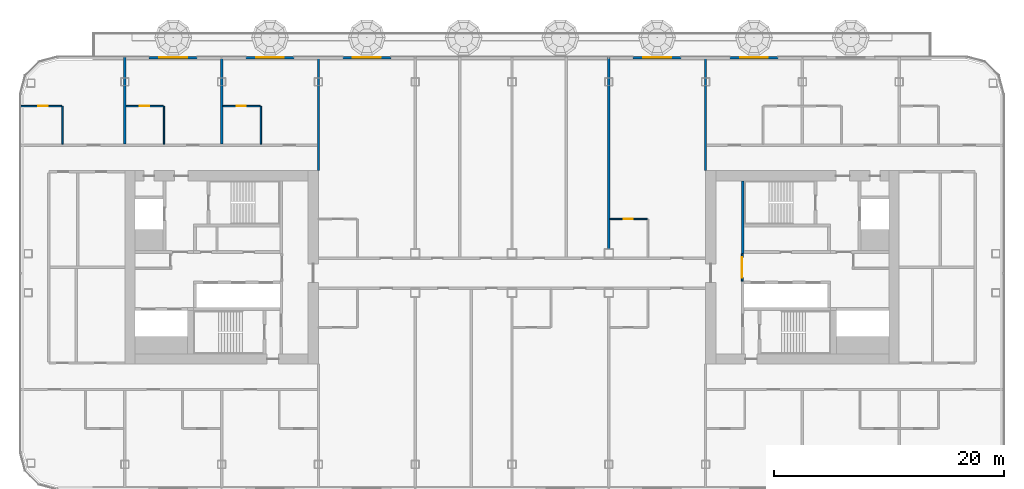
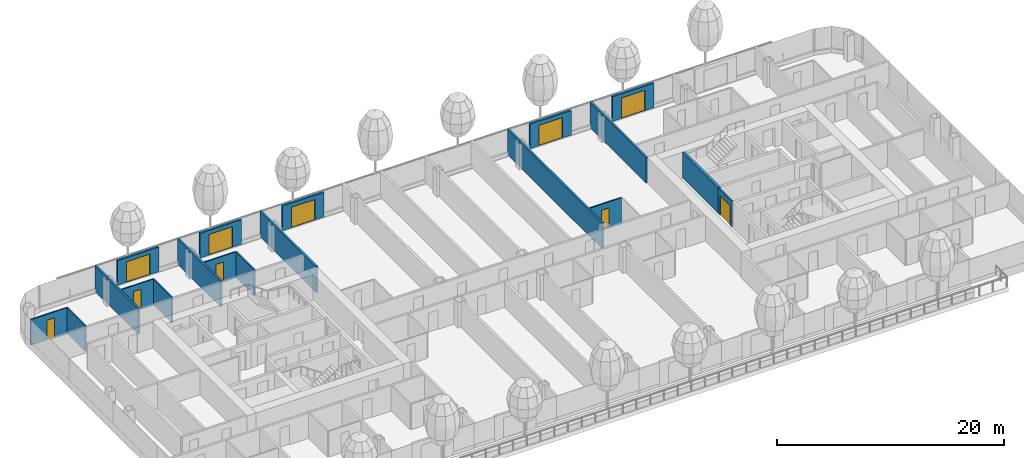
# One storey, part 13 of 29: 19 walls, 10 doors, 10 openings, 1 element without a shape of its own.
"""IFC4 building model written with IfcOpenShell, lengths in metres."""

from ifc_helpers import new_model, si_unit, direction, frame, frame_2d, origin, place, context, subcontext, project, spatial, rectangle, extrude, material, layer, layer_set, type_object, element, fill, aggregate, save


model = new_model("IFC4")

# Units and contexts
model_context = context("Model", 3, precision=1e-05, world=origin(), true_north=direction((0.0, 1.0)))
body_context = subcontext(model_context, "Body", "Model", "MODEL_VIEW")
ifc_project = project(units=[si_unit("LENGTHUNIT", "METRE"), si_unit("AREAUNIT", "SQUARE_METRE"), si_unit("VOLUMEUNIT", "CUBIC_METRE"), si_unit("PLANEANGLEUNIT", "RADIAN"), si_unit("MASSUNIT", "GRAM", prefix="KILO")], contexts=[model_context])

# Site, building, storey
site_placement = place(None, origin())
site = spatial("IfcSite", under=ifc_project, at=site_placement, CompositionType="ELEMENT")
building_placement = place(site_placement, origin())
building = spatial("IfcBuilding", under=site, at=building_placement, Name="Hakoniwa Tower and Hamabe Station Hall", CompositionType="ELEMENT")
storey_placement = place(building_placement, frame((0.0, 0.0, 163.0)))
storey = spatial("IfcBuildingStorey", under=building, at=storey_placement, Name="L46", CompositionType="ELEMENT", Elevation=163.0)

# Wall, opening, door
ifc_material_1 = material(Name="Gypsum board partition", Category="gypsum")
ifc_layer_1 = layer(ifc_material_1, 0.125)
ifc_layer_set_1 = layer_set([ifc_layer_1], Name="Bathroom Partition 125")
wall_type_1 = type_object("IfcWallType", Name="Bathroom Partition 125", PredefinedType="PARTITIONING", material=ifc_layer_set_1)
wall_1_placement = place(storey_placement, frame((8.5, 4.199951171875, 0.0), z_axis=(0.0, 0.0, 1.0), x_axis=(1.0, 0.0, 0.0)))
wall_1 = element("IfcWall", 1, at=wall_1_placement, inside=storey, type_object=wall_type_1, Name="GW-L46-018", PredefinedType="PARTITIONING", context=body_context, shape_type="SweptSolid", body=[
    extrude(rectangle(XDim=3.237548828125, YDim=0.125, at=frame_2d((1.61865234375, 0.0))), origin(), (0.0, 0.0, 1.0), 2.75),
])
opening_1_placement = place(wall_1_placement, frame((1.199951171875, 0.0, 0.0)))
opening_1 = element("IfcOpeningElement", 2, at=opening_1_placement, cuts=wall_1, Name="Opening GD-G3A2-32", PredefinedType="OPENING", context=body_context, shape_type="SweptSolid", body=[
    extrude(rectangle(XDim=0.800048828125, YDim=2.10009765625, at=frame_2d((0.39990234375, 1.050048828125))), frame((0.0, 0.072509765625, 0.0), z_axis=(0.0, -1.0, 0.0), x_axis=(1.0, 0.0, 0.0)), (0.0, 0.0, 1.0), 0.14501953125),
])
ifc_material_2 = material(Name="Timber door leaf", Category="wood")
door_type_1 = type_object("IfcDoorType", Name="Bathroom Door 800", OperationType="SINGLE_SWING_LEFT", PredefinedType="DOOR", material=ifc_material_2)
door_1_placement = place(opening_1_placement, origin())
door_1 = element("IfcDoor", 3, at=door_1_placement, inside=storey, type_object=door_type_1, Name="Door GD-G3A2-32", OperationType="SINGLE_SWING_RIGHT", OverallHeight=2.10009765625, OverallWidth=0.800048828125, PredefinedType="DOOR", context=body_context, shape_type="SweptSolid", body=[
    extrude(rectangle(XDim=0.800048828125, YDim=2.10009765625, at=frame_2d((0.39990234375, 1.050048828125))), frame((0.0, 0.02490234375, 0.0), z_axis=(0.0, -1.0, 0.0), x_axis=(1.0, 0.0, 0.0)), (0.0, 0.0, 1.0), 0.050048828125),
])
fill(opening_1, door_1)

wall_2_placement = place(storey_placement, frame((-42.699951171875, 14.0, 0.0), z_axis=(0.0, 0.0, 1.0), x_axis=(1.0, 0.0, 0.0)))
wall_2 = element("IfcWall", 4, at=wall_2_placement, inside=storey, type_object=wall_type_1, Name="GW-L46-023", PredefinedType="PARTITIONING", context=body_context, shape_type="SweptSolid", body=[
    extrude(rectangle(XDim=3.637451171875, YDim=0.125, at=frame_2d((1.81884765625, 0.0))), origin(), (0.0, 0.0, 1.0), 2.75),
])
opening_2_placement = place(wall_2_placement, frame((1.60009765625, 0.0, 0.0)))
opening_2 = element("IfcOpeningElement", 5, at=opening_2_placement, cuts=wall_2, Name="Opening GD-G3A2-43", PredefinedType="OPENING", context=body_context, shape_type="SweptSolid", body=[
    extrude(rectangle(XDim=0.800048828125, YDim=2.10009765625, at=frame_2d((0.39990234375, 1.050048828125))), frame((0.0, 0.072509765625, 0.0), z_axis=(0.0, -1.0, 0.0), x_axis=(1.0, 0.0, 0.0)), (0.0, 0.0, 1.0), 0.14501953125),
])
door_2_placement = place(opening_2_placement, origin())
door_2 = element("IfcDoor", 6, at=door_2_placement, inside=storey, type_object=door_type_1, Name="Door GD-G3A2-43", OperationType="SINGLE_SWING_RIGHT", OverallHeight=2.10009765625, OverallWidth=0.800048828125, PredefinedType="DOOR", context=body_context, shape_type="SweptSolid", body=[
    extrude(rectangle(XDim=0.800048828125, YDim=2.10009765625, at=frame_2d((0.39990234375, 1.050048828125))), frame((0.0, 0.02490234375, 0.0), z_axis=(0.0, -1.0, 0.0), x_axis=(1.0, 0.0, 0.0)), (0.0, 0.0, 1.0), 0.050048828125),
])
fill(opening_2, door_2)

wall_3_placement = place(storey_placement, frame((-33.5, 14.0, 0.0), z_axis=(0.0, 0.0, 1.0), x_axis=(1.0, 0.0, 0.0)))
wall_3 = element("IfcWall", 7, at=wall_3_placement, inside=storey, type_object=wall_type_1, Name="GW-L46-024", PredefinedType="PARTITIONING", context=body_context, shape_type="SweptSolid", body=[
    extrude(rectangle(XDim=3.237548828125, YDim=0.125, at=frame_2d((1.61865234375, 0.0))), origin(), (0.0, 0.0, 1.0), 2.75),
])
opening_3_placement = place(wall_3_placement, frame((1.199951171875, 0.0, 0.0)))
opening_3 = element("IfcOpeningElement", 8, at=opening_3_placement, cuts=wall_3, Name="Opening GD-G3A2-44", PredefinedType="OPENING", context=body_context, shape_type="SweptSolid", body=[
    extrude(rectangle(XDim=0.800048828125, YDim=2.10009765625, at=frame_2d((0.39990234375, 1.050048828125))), frame((0.0, 0.072509765625, 0.0), z_axis=(0.0, -1.0, 0.0), x_axis=(1.0, 0.0, 0.0)), (0.0, 0.0, 1.0), 0.14501953125),
])
door_3_placement = place(opening_3_placement, origin())
door_3 = element("IfcDoor", 9, at=door_3_placement, inside=storey, type_object=door_type_1, Name="Door GD-G3A2-44", OperationType="SINGLE_SWING_LEFT", OverallHeight=2.10009765625, OverallWidth=0.800048828125, PredefinedType="DOOR", context=body_context, shape_type="SweptSolid", body=[
    extrude(rectangle(XDim=0.800048828125, YDim=2.10009765625, at=frame_2d((0.39990234375, 1.050048828125))), frame((0.0, 0.02490234375, 0.0), z_axis=(0.0, -1.0, 0.0), x_axis=(1.0, 0.0, 0.0)), (0.0, 0.0, 1.0), 0.050048828125),
])
fill(opening_3, door_3)

wall_4_placement = place(storey_placement, frame((-25.10009765625, 14.0, 0.0), z_axis=(0.0, 0.0, 1.0), x_axis=(1.0, 0.0, 0.0)))
wall_4 = element("IfcWall", 10, at=wall_4_placement, inside=storey, type_object=wall_type_1, Name="GW-L46-025", PredefinedType="PARTITIONING", context=body_context, shape_type="SweptSolid", body=[
    extrude(rectangle(XDim=3.237548828125, YDim=0.125, at=frame_2d((1.61865234375, 0.0))), origin(), (0.0, 0.0, 1.0), 2.75),
])
opening_4_placement = place(wall_4_placement, frame((1.199951171875, 0.0, 0.0)))
opening_4 = element("IfcOpeningElement", 11, at=opening_4_placement, cuts=wall_4, Name="Opening GD-G3A2-45", PredefinedType="OPENING", context=body_context, shape_type="SweptSolid", body=[
    extrude(rectangle(XDim=0.800048828125, YDim=2.10009765625, at=frame_2d((0.39990234375, 1.050048828125))), frame((0.0, 0.072509765625, 0.0), z_axis=(0.0, -1.0, 0.0), x_axis=(1.0, 0.0, 0.0)), (0.0, 0.0, 1.0), 0.14501953125),
])
door_4_placement = place(opening_4_placement, origin())
door_4 = element("IfcDoor", 12, at=door_4_placement, inside=storey, type_object=door_type_1, Name="Door GD-G3A2-45", OperationType="SINGLE_SWING_RIGHT", OverallHeight=2.10009765625, OverallWidth=0.800048828125, PredefinedType="DOOR", context=body_context, shape_type="SweptSolid", body=[
    extrude(rectangle(XDim=0.800048828125, YDim=2.10009765625, at=frame_2d((0.39990234375, 1.050048828125))), frame((0.0, 0.02490234375, 0.0), z_axis=(0.0, -1.0, 0.0), x_axis=(1.0, 0.0, 0.0)), (0.0, 0.0, 1.0), 0.050048828125),
])
fill(opening_4, door_4)

# Walls
for number, where, z_axis, x_axis, name in (
    (13, (-39.0, 10.699951171875, 0.0), (0.0, 0.0, 1.0), (0.0, 1.0, 0.0), "GW-L46-029"),
    (14, (-30.199951171875, 10.699951171875, 0.0), (0.0, 0.0, 1.0), (0.0, 1.0, 0.0), "GW-L46-035"),
    (15, (-21.800048828125, 10.699951171875, 0.0), (0.0, 0.0, 1.0), (0.0, 1.0, 0.0), "GW-L46-039"),
):
    element("IfcWall", number, at=place(storey_placement, frame(where, z_axis=z_axis, x_axis=x_axis)), inside=storey, type_object=wall_type_1, Name=name, PredefinedType="PARTITIONING", context=body_context, shape_type="SweptSolid", body=[
        extrude(rectangle(XDim=3.300048828125, YDim=0.125, at=frame_2d((1.64990234375, 0.0))), origin(), (0.0, 0.0, 1.0), 2.75),
    ])

# Wall, opening, door
ifc_material_3 = material(Name="Gypsum board partition")
ifc_layer_2 = layer(ifc_material_3, 0.14990234375)
ifc_layer_set_2 = layer_set([ifc_layer_2], Name="CORE PARTITION 150 EI 60")
wall_type_2 = type_object("IfcWallType", Name="CORE PARTITION 150 EI 60", PredefinedType="PARTITIONING", material=ifc_layer_set_2)
wall_5_placement = place(storey_placement, frame((19.97509765625, -1.199951171875, 0.0), z_axis=(0.0, 0.0, 1.0), x_axis=(0.0, 1.0, 0.0)))
wall_5 = element("IfcWall", 16, at=wall_5_placement, inside=storey, type_object=wall_type_2, Name="Core partition PL0 east", PredefinedType="PARTITIONING", context=body_context, shape_type="SweptSolid", body=[
    extrude(rectangle(XDim=2.39990234375, YDim=0.14990234375, at=frame_2d((1.199951171875, 0.0))), origin(), (0.0, 0.0, 1.0), 2.75),
])
opening_5_placement = place(wall_5_placement, frame((0.300048828125, 0.0, 0.0)))
opening_5 = element("IfcOpeningElement", 17, at=opening_5_placement, cuts=wall_5, Name="Opening CD-E-LP0-18", PredefinedType="OPENING", context=body_context, shape_type="SweptSolid", body=[
    extrude(rectangle(XDim=1.800048828125, YDim=2.10009765625, at=frame_2d((0.89990234375, 1.050048828125))), frame((0.0, 0.0849609375, 0.0), z_axis=(0.0, -1.0, 0.0), x_axis=(1.0, 0.0, 0.0)), (0.0, 0.0, 1.0), 0.169921875),
])
ifc_material_4 = material(Name="Steel fire door", Category="steel")
door_type_2 = type_object("IfcDoorType", Name="CORE DOOR 1800 FD60", OperationType="DOUBLE_DOOR_SINGLE_SWING", PredefinedType="DOOR", material=ifc_material_4)
door_5_placement = place(opening_5_placement, origin())
door_5 = element("IfcDoor", 18, at=door_5_placement, inside=storey, type_object=door_type_2, Name="Lift lobby partition door", OperationType="DOUBLE_DOOR_SINGLE_SWING", OverallHeight=2.10009765625, OverallWidth=1.800048828125, PredefinedType="DOOR", context=body_context, shape_type="SweptSolid", body=[
    extrude(rectangle(XDim=1.800048828125, YDim=2.10009765625, at=frame_2d((0.89990234375, 1.050048828125))), frame((0.0, 0.02490234375, 0.0), z_axis=(0.0, -1.0, 0.0), x_axis=(1.0, 0.0, 0.0)), (0.0, 0.0, 1.0), 0.050048828125),
])
fill(opening_5, door_5)

# Wall
ifc_material_5 = material(Name="Concrete C66", Category="concrete")
ifc_layer_3 = layer(ifc_material_5, 0.25)
ifc_layer_set_3 = layer_set([ifc_layer_3], Name="CORE WEB WALL 250 C66")
wall_type_3 = type_object("IfcWallType", Name="CORE WEB WALL 250 C66", PredefinedType="SHEAR", material=ifc_layer_set_3)
wall_6_placement = place(storey_placement, frame((20.02490234375, 1.199951171875, 0.0), z_axis=(0.0, 0.0, 1.0), x_axis=(0.0, 1.0, 0.0)))
element("IfcWall", 19, at=wall_6_placement, inside=storey, type_object=wall_type_3, Name="Core wall W1N east", PredefinedType="SHEAR", context=body_context, shape_type="SweptSolid", body=[
    extrude(rectangle(XDim=6.300048828125, YDim=0.25, at=frame_2d((3.14990234375, 0.0))), origin(), (0.0, 0.0, 1.0), 2.75),
])

# Curtain wall, walls, openings, doors
ifc_material_6 = material(Name="Dark low-e laminated glass", Category="glass")
ifc_layer_4 = layer(ifc_material_6, 0.199951171875)
ifc_layer_set_4 = layer_set([ifc_layer_4], Name="CW-1 UNITISED GUEST")
curtain_wall_type = type_object("IfcCurtainWallType", Name="CW-1 UNITISED GUEST", PredefinedType="NOTDEFINED", material=ifc_layer_set_4)
curtain_wall_placement = place(storey_placement, origin())
curtain_wall = element("IfcCurtainWall", 20, at=curtain_wall_placement, inside=storey, type_object=curtain_wall_type, Name="CW-1 curtain wall", PredefinedType="NOTDEFINED")
ifc_material_7 = material(Name="Dark glass-faced aluminium panel", Category="aluminium")
ifc_layer_5 = layer(ifc_material_7, 0.199951171875)
ifc_layer_set_5 = layer_set([ifc_layer_5], Name="DOOR BAY WALL")
wall_type_4 = type_object("IfcWallType", Name="DOOR BAY WALL", PredefinedType="NOTDEFINED", material=ifc_layer_set_5)
wall_7_placement = place(storey_placement, frame((23.110107421875, 18.199951171875, 0.0), z_axis=(0.0, 0.0, 1.0), x_axis=(-1.0, 0.0, 0.0)))
wall_7 = element("IfcWall", 21, at=wall_7_placement, type_object=wall_type_4, Name="Door bay wall", PredefinedType="NOTDEFINED", context=body_context, shape_type="SweptSolid", body=[
    extrude(rectangle(XDim=4.22021484375, YDim=0.199951171875, at=frame_2d((2.110107421875, 0.0))), origin(), (0.0, 0.0, 1.0), 2.64990234375),
])
opening_6_placement = place(wall_7_placement, frame((0.909912109375, 0.0, 0.0)))
opening_6 = element("IfcOpeningElement", 22, at=opening_6_placement, cuts=wall_7, Name="Opening BD-N03-6", PredefinedType="OPENING", context=body_context, shape_type="SweptSolid", body=[
    extrude(rectangle(XDim=2.39990234375, YDim=2.199951171875, at=frame_2d((1.199951171875, 1.10009765625))), frame((0.0, 0.10986328125, 0.0), z_axis=(0.0, -1.0, 0.0), x_axis=(1.0, 0.0, 0.0)), (0.0, 0.0, 1.0), 0.219970703125),
])
ifc_material_8 = material(Name="Dark low-e laminated glass", Category="glass")
door_type_3 = type_object("IfcDoorType", Name="BALCONY SLIDING DOOR 2400X2200", OperationType="SLIDING_TO_LEFT", PredefinedType="DOOR", material=ifc_material_8)
door_6_placement = place(opening_6_placement, frame((2.39990234375, 0.0, 0.0), z_axis=(0.0, 0.0, 1.0), x_axis=(-1.0, 0.0, 0.0)))
door_6 = element("IfcDoor", 23, at=door_6_placement, inside=storey, type_object=door_type_3, Name="Balcony sliding door", OperationType="SLIDING_TO_LEFT", OverallHeight=2.199951171875, OverallWidth=2.39990234375, PredefinedType="DOOR", context=body_context, shape_type="SweptSolid", body=[
    extrude(rectangle(XDim=2.39990234375, YDim=2.199951171875, at=frame_2d((1.199951171875, 1.10009765625))), frame((0.0, 0.02490234375, 0.0), z_axis=(0.0, -1.0, 0.0), x_axis=(1.0, 0.0, 0.0)), (0.0, 0.0, 1.0), 0.050048828125),
])
fill(opening_6, door_6)
wall_8_placement = place(storey_placement, frame((14.7099609375, 18.199951171875, 0.0), z_axis=(0.0, 0.0, 1.0), x_axis=(-1.0, 0.0, 0.0)))
wall_8 = element("IfcWall", 24, at=wall_8_placement, type_object=wall_type_4, Name="Door bay wall", PredefinedType="NOTDEFINED", context=body_context, shape_type="SweptSolid", body=[
    extrude(rectangle(XDim=4.219970703125, YDim=0.199951171875, at=frame_2d((2.10986328125, 0.0))), origin(), (0.0, 0.0, 1.0), 2.64990234375),
])
opening_7_placement = place(wall_8_placement, frame((0.909912109375, 0.0, 0.0)))
opening_7 = element("IfcOpeningElement", 25, at=opening_7_placement, cuts=wall_8, Name="Opening BD-N03-2", PredefinedType="OPENING", context=body_context, shape_type="SweptSolid", body=[
    extrude(rectangle(XDim=2.39990234375, YDim=2.199951171875, at=frame_2d((1.199951171875, 1.10009765625))), frame((0.0, 0.10986328125, 0.0), z_axis=(0.0, -1.0, 0.0), x_axis=(1.0, 0.0, 0.0)), (0.0, 0.0, 1.0), 0.219970703125),
])
door_7_placement = place(opening_7_placement, frame((2.39990234375, 0.0, 0.0), z_axis=(0.0, 0.0, 1.0), x_axis=(-1.0, 0.0, 0.0)))
door_7 = element("IfcDoor", 26, at=door_7_placement, inside=storey, type_object=door_type_3, Name="Balcony sliding door", OperationType="SLIDING_TO_LEFT", OverallHeight=2.199951171875, OverallWidth=2.39990234375, PredefinedType="DOOR", context=body_context, shape_type="SweptSolid", body=[
    extrude(rectangle(XDim=2.39990234375, YDim=2.199951171875, at=frame_2d((1.199951171875, 1.10009765625))), frame((0.0, 0.02490234375, 0.0), z_axis=(0.0, -1.0, 0.0), x_axis=(1.0, 0.0, 0.0)), (0.0, 0.0, 1.0), 0.050048828125),
])
fill(opening_7, door_7)
wall_9_placement = place(storey_placement, frame((-10.489990234375, 18.199951171875, 0.0), z_axis=(0.0, 0.0, 1.0), x_axis=(-1.0, 0.0, 0.0)))
wall_9 = element("IfcWall", 27, at=wall_9_placement, type_object=wall_type_4, Name="Door bay wall", PredefinedType="NOTDEFINED", context=body_context, shape_type="SweptSolid", body=[
    extrude(rectangle(XDim=4.219970703125, YDim=0.199951171875, at=frame_2d((2.10986328125, 0.0))), origin(), (0.0, 0.0, 1.0), 2.64990234375),
])
opening_8_placement = place(wall_9_placement, frame((0.909912109375, 0.0, 0.0)))
opening_8 = element("IfcOpeningElement", 28, at=opening_8_placement, cuts=wall_9, Name="Opening BD-N03-1", PredefinedType="OPENING", context=body_context, shape_type="SweptSolid", body=[
    extrude(rectangle(XDim=2.39990234375, YDim=2.199951171875, at=frame_2d((1.199951171875, 1.10009765625))), frame((0.0, 0.10986328125, 0.0), z_axis=(0.0, -1.0, 0.0), x_axis=(1.0, 0.0, 0.0)), (0.0, 0.0, 1.0), 0.219970703125),
])
door_8_placement = place(opening_8_placement, frame((2.39990234375, 0.0, 0.0), z_axis=(0.0, 0.0, 1.0), x_axis=(-1.0, 0.0, 0.0)))
door_8 = element("IfcDoor", 29, at=door_8_placement, inside=storey, type_object=door_type_3, Name="Balcony sliding door", OperationType="SLIDING_TO_LEFT", OverallHeight=2.199951171875, OverallWidth=2.39990234375, PredefinedType="DOOR", context=body_context, shape_type="SweptSolid", body=[
    extrude(rectangle(XDim=2.39990234375, YDim=2.199951171875, at=frame_2d((1.199951171875, 1.10009765625))), frame((0.0, 0.02490234375, 0.0), z_axis=(0.0, -1.0, 0.0), x_axis=(1.0, 0.0, 0.0)), (0.0, 0.0, 1.0), 0.050048828125),
])
fill(opening_8, door_8)
wall_10_placement = place(storey_placement, frame((-18.889892578125, 18.199951171875, 0.0), z_axis=(0.0, 0.0, 1.0), x_axis=(-1.0, 0.0, 0.0)))
wall_10 = element("IfcWall", 30, at=wall_10_placement, type_object=wall_type_4, Name="Door bay wall", PredefinedType="NOTDEFINED", context=body_context, shape_type="SweptSolid", body=[
    extrude(rectangle(XDim=4.22021484375, YDim=0.199951171875, at=frame_2d((2.110107421875, 0.0))), origin(), (0.0, 0.0, 1.0), 2.64990234375),
])
opening_9_placement = place(wall_10_placement, frame((0.909912109375, 0.0, 0.0)))
opening_9 = element("IfcOpeningElement", 31, at=opening_9_placement, cuts=wall_10, Name="Opening BD-N03-11", PredefinedType="OPENING", context=body_context, shape_type="SweptSolid", body=[
    extrude(rectangle(XDim=2.39990234375, YDim=2.199951171875, at=frame_2d((1.199951171875, 1.10009765625))), frame((0.0, 0.10986328125, 0.0), z_axis=(0.0, -1.0, 0.0), x_axis=(1.0, 0.0, 0.0)), (0.0, 0.0, 1.0), 0.219970703125),
])
door_9_placement = place(opening_9_placement, frame((2.39990234375, 0.0, 0.0), z_axis=(0.0, 0.0, 1.0), x_axis=(-1.0, 0.0, 0.0)))
door_9 = element("IfcDoor", 32, at=door_9_placement, inside=storey, type_object=door_type_3, Name="Balcony sliding door", OperationType="SLIDING_TO_LEFT", OverallHeight=2.199951171875, OverallWidth=2.39990234375, PredefinedType="DOOR", context=body_context, shape_type="SweptSolid", body=[
    extrude(rectangle(XDim=2.39990234375, YDim=2.199951171875, at=frame_2d((1.199951171875, 1.10009765625))), frame((0.0, 0.02490234375, 0.0), z_axis=(0.0, -1.0, 0.0), x_axis=(1.0, 0.0, 0.0)), (0.0, 0.0, 1.0), 0.050048828125),
])
fill(opening_9, door_9)
wall_11_placement = place(storey_placement, frame((-27.2900390625, 18.199951171875, 0.0), z_axis=(0.0, 0.0, 1.0), x_axis=(-1.0, 0.0, 0.0)))
wall_11 = element("IfcWall", 33, at=wall_11_placement, type_object=wall_type_4, Name="Door bay wall", PredefinedType="NOTDEFINED", context=body_context, shape_type="SweptSolid", body=[
    extrude(rectangle(XDim=4.219970703125, YDim=0.199951171875, at=frame_2d((2.10986328125, 0.0))), origin(), (0.0, 0.0, 1.0), 2.64990234375),
])
opening_10_placement = place(wall_11_placement, frame((0.909912109375, 0.0, 0.0)))
opening_10 = element("IfcOpeningElement", 34, at=opening_10_placement, cuts=wall_11, Name="Opening BD-N03-10", PredefinedType="OPENING", context=body_context, shape_type="SweptSolid", body=[
    extrude(rectangle(XDim=2.39990234375, YDim=2.199951171875, at=frame_2d((1.199951171875, 1.10009765625))), frame((0.0, 0.10986328125, 0.0), z_axis=(0.0, -1.0, 0.0), x_axis=(1.0, 0.0, 0.0)), (0.0, 0.0, 1.0), 0.219970703125),
])
door_10_placement = place(opening_10_placement, frame((2.39990234375, 0.0, 0.0), z_axis=(0.0, 0.0, 1.0), x_axis=(-1.0, 0.0, 0.0)))
door_10 = element("IfcDoor", 35, at=door_10_placement, inside=storey, type_object=door_type_3, Name="Balcony sliding door", OperationType="SLIDING_TO_LEFT", OverallHeight=2.199951171875, OverallWidth=2.39990234375, PredefinedType="DOOR", context=body_context, shape_type="SweptSolid", body=[
    extrude(rectangle(XDim=2.39990234375, YDim=2.199951171875, at=frame_2d((1.199951171875, 1.10009765625))), frame((0.0, 0.02490234375, 0.0), z_axis=(0.0, -1.0, 0.0), x_axis=(1.0, 0.0, 0.0)), (0.0, 0.0, 1.0), 0.050048828125),
])
fill(opening_10, door_10)
aggregate(curtain_wall, [wall_7, wall_8, wall_9, wall_10, wall_11])

# Walls
ifc_material_9 = material(Name="Fire-rated gypsum board partition", Category="gypsum")
ifc_layer_6 = layer(ifc_material_9, 0.199951171875)
ifc_layer_set_6 = layer_set([ifc_layer_6], Name="Party Wall 200")
wall_type_5 = type_object("IfcWallType", Name="Party Wall 200", PredefinedType="PARTITIONING", material=ifc_layer_set_6)
for number, where, z_axis, x_axis, name in (
    (36, (-33.60009765625, 10.699951171875, 0.0), (0.0, 0.0, 1.0), (0.0, 1.0, 0.0), "GW-L46-034"),
    (37, (-25.199951171875, 10.699951171875, 0.0), (0.0, 0.0, 1.0), (0.0, 1.0, 0.0), "GW-L46-038"),
):
    element("IfcWall", number, at=place(storey_placement, frame(where, z_axis=z_axis, x_axis=x_axis)), inside=storey, type_object=wall_type_5, Name=name, PredefinedType="PARTITIONING", context=body_context, shape_type="SweptSolid", body=[
        extrude(rectangle(XDim=7.60009765625, YDim=0.199951171875, at=frame_2d((3.800048828125, 0.0))), origin(), (0.0, 0.0, 1.0), 2.75),
    ])
wall_12_placement = place(storey_placement, frame((-16.800048828125, 8.389892578125, 0.0), z_axis=(0.0, 0.0, 1.0), x_axis=(0.0, 1.0, 0.0)))
element("IfcWall", 38, at=wall_12_placement, inside=storey, type_object=wall_type_5, Name="GW-L46-042", PredefinedType="PARTITIONING", context=body_context, shape_type="SweptSolid", body=[
    extrude(rectangle(XDim=9.91015625, YDim=0.199951171875, at=frame_2d((4.955078125, 0.0))), origin(), (0.0, 0.0, 1.0), 2.75),
])
wall_13_placement = place(storey_placement, frame((8.39990234375, 1.590087890625, 0.0), z_axis=(0.0, 0.0, 1.0), x_axis=(0.0, 1.0, 0.0)))
element("IfcWall", 39, at=wall_13_placement, inside=storey, type_object=wall_type_5, Name="GW-L46-054", PredefinedType="PARTITIONING", context=body_context, shape_type="SweptSolid", body=[
    extrude(rectangle(XDim=16.7099609375, YDim=0.199951171875, at=frame_2d((8.35498046875, 0.0))), origin(), (0.0, 0.0, 1.0), 2.75),
])
wall_14_placement = place(storey_placement, frame((16.800048828125, 8.389892578125, 0.0), z_axis=(0.0, 0.0, 1.0), x_axis=(0.0, 1.0, 0.0)))
element("IfcWall", 40, at=wall_14_placement, inside=storey, type_object=wall_type_5, Name="GW-L46-058", PredefinedType="PARTITIONING", context=body_context, shape_type="SweptSolid", body=[
    extrude(rectangle(XDim=9.91015625, YDim=0.199951171875, at=frame_2d((4.955078125, 0.0))), origin(), (0.0, 0.0, 1.0), 2.75),
])

save(model, "model.ifc")
